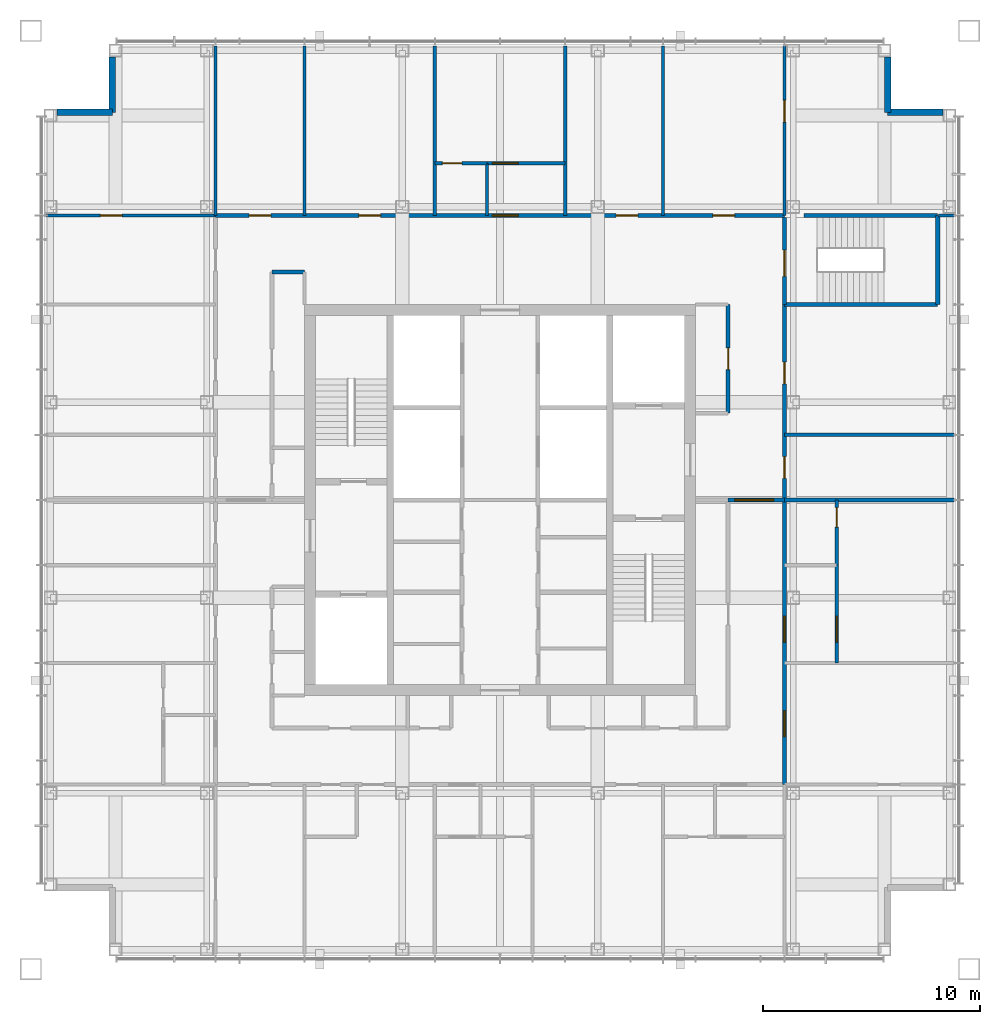
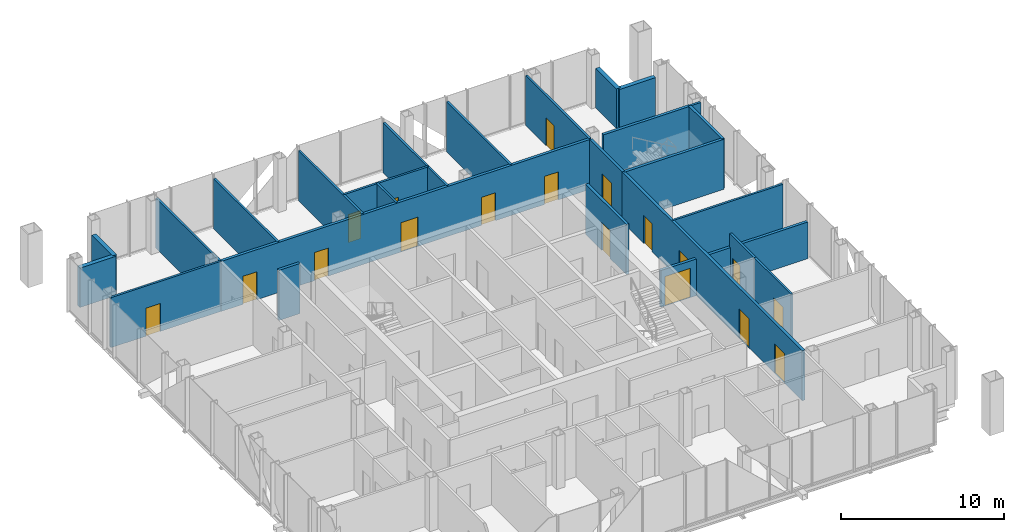
# One storey, part 10 of 12: 28 walls, 18 doors, 18 openings.
"""IFC4 building model written with IfcOpenShell, lengths in metres."""

import ifcopenshell
import ifcopenshell.guid

model = None  # the IFC model being written
_history = None  # IfcOwnerHistory: only IFC2X3 demands one
_inside = {}  # id of a spatial element -> (the spatial element, [elements in it])
_under = {}  # id of a project, library or spatial element -> (it, [spatial elements below it])
_declared = {}  # id of a project -> (the project, [libraries it declares])
_typed = {}  # id of a type object -> (the type object, [elements of that type])
_made_of = {}  # id of a material, layer set ... -> (it, [elements and type objects made of it])


def new_model(schema):
    """Start an empty IFC model of exactly this schema.

    Asked for "IFC4X3", IfcOpenShell would pick the latest addendum, in which some entities
    have other attributes; the version numbers below select the first issue.
    IFC2X3 requires an IfcOwnerHistory on every rooted entity: one is made here for all.
    """
    global model, _history
    if schema == "IFC4X3":
        model = ifcopenshell.file(schema_version=(4, 3, 0, 0))
    else:
        model = ifcopenshell.file(schema=schema)
    _inside.clear()
    _under.clear()
    _declared.clear()
    _typed.clear()
    _made_of.clear()
    _history = None
    if model.schema == "IFC2X3":
        org = make("IfcOrganization", Name="unknown")
        user = make(
            "IfcPersonAndOrganization",
            ThePerson=make("IfcPerson", FamilyName="unknown"),
            TheOrganization=org,
        )
        app = make(
            "IfcApplication",
            ApplicationDeveloper=org,
            Version="unknown",
            ApplicationFullName="unknown",
            ApplicationIdentifier="unknown",
        )
        _history = make(
            "IfcOwnerHistory",
            OwningUser=user,
            OwningApplication=app,
            ChangeAction="ADDED",
            CreationDate=0,
        )
    return model


def make(cls, **values):
    """One entity of the class cls with the attributes given. An attribute that is None is left unset."""
    return model.create_entity(
        cls, **{name: value for name, value in values.items() if value is not None}
    )


def rooted(cls, **values):
    """An entity with a GlobalId (a new one), such as an element, a storey or a relation."""
    return make(cls, GlobalId=ifcopenshell.guid.new(), OwnerHistory=_history, **values)


def si_unit(unit_type, name, prefix=None):
    """IfcSIUnit, for example si_unit("LENGTHUNIT", "METRE", prefix="MILLI")."""
    return make("IfcSIUnit", UnitType=unit_type, Prefix=prefix, Name=name)


def assignment(units):
    """IfcUnitAssignment: the units of a project."""
    return None if units is None else make("IfcUnitAssignment", Units=units)


def point(xyz):
    """IfcCartesianPoint."""
    return None if xyz is None else make("IfcCartesianPoint", Coordinates=xyz)


def direction(xyz):
    """IfcDirection."""
    return None if xyz is None else make("IfcDirection", DirectionRatios=xyz)


def frame(location, z_axis=None, x_axis=None):
    """IfcAxis2Placement3D, a coordinate frame: its origin and axes. An axis left out is left unset."""
    return make(
        "IfcAxis2Placement3D",
        Location=point(location),
        Axis=direction(z_axis),
        RefDirection=direction(x_axis),
    )


def frame_2d(location, x_axis=None):
    """IfcAxis2Placement2D, a coordinate frame in the plane: its origin and x axis."""
    return make(
        "IfcAxis2Placement2D", Location=point(location), RefDirection=direction(x_axis)
    )


def origin():
    """The frame at (0, 0, 0) with its axes left unset."""
    return frame((0.0, 0.0, 0.0))


def place(relative_to, where):
    """IfcLocalPlacement: puts the frame where relative to a parent placement (None: the world)."""
    return make(
        "IfcLocalPlacement", PlacementRelTo=relative_to, RelativePlacement=where
    )


def context(
    kind, dimensions, precision=None, world=None, true_north=None, identifier=None
):
    """IfcGeometricRepresentationContext, for example the 3D "Model" context."""
    return make(
        "IfcGeometricRepresentationContext",
        ContextIdentifier=identifier,
        ContextType=kind,
        CoordinateSpaceDimension=dimensions,
        Precision=precision,
        WorldCoordinateSystem=world,
        TrueNorth=true_north,
    )


def subcontext(parent, identifier, kind, view, scale=None):
    """IfcGeometricRepresentationSubContext, for example "Body" below "Model"."""
    return make(
        "IfcGeometricRepresentationSubContext",
        ContextIdentifier=identifier,
        ContextType=kind,
        ParentContext=parent,
        TargetScale=scale,
        TargetView=view,
    )


def project(units=None, contexts=None):
    """IfcProject with its units and contexts."""
    return rooted(
        "IfcProject",
        Name="project",
        RepresentationContexts=contexts,
        UnitsInContext=assignment(units),
    )


def spatial(cls, under=None, at=None, **own):
    """A site, building, storey or space (cls), placed at a placement, below another one or the project."""
    s = rooted(cls, ObjectPlacement=at, **own)
    if under is not None:
        _under.setdefault(under.id(), (under, []))[1].append(s)
    return s


def profile(cls, at=None, kind="AREA", **sizes):
    """A parametric profile (cls). Its sizes go by their IFC names, for example OverallWidth=200.0."""
    return make(cls, ProfileType=kind, Position=at, **sizes)


def rectangle(**sizes):
    """IfcRectangleProfileDef."""
    return profile("IfcRectangleProfileDef", **sizes)


def extrude(swept, where, along, depth):
    """IfcExtrudedAreaSolid: the profile swept, set in the frame where, extruded along a direction by depth."""
    return make(
        "IfcExtrudedAreaSolid",
        SweptArea=swept,
        Position=where,
        ExtrudedDirection=direction(along),
        Depth=depth,
    )


def shape(context_of_items, identifier, shape_type, items):
    """IfcShapeRepresentation: the items that make up one representation, for example the "Body"."""
    return make(
        "IfcShapeRepresentation",
        ContextOfItems=context_of_items,
        RepresentationIdentifier=identifier,
        RepresentationType=shape_type,
        Items=items,
    )


def material(Name=None, Category=None):
    """IfcMaterial."""
    return make("IfcMaterial", Name=Name, Category=Category)


def layer(
    of_material, thickness, ventilated=None, Name=None, Category=None, Priority=None
):
    """IfcMaterialLayer: one layer of a wall or slab, of a material (None: an air gap)."""
    return make(
        "IfcMaterialLayer",
        Material=of_material,
        LayerThickness=thickness,
        IsVentilated=ventilated,
        Name=Name,
        Category=Category,
        Priority=Priority,
    )


def layer_set(layers, Name=None):
    """IfcMaterialLayerSet."""
    return make("IfcMaterialLayerSet", MaterialLayers=layers, LayerSetName=Name)


def made_of(thing, what):
    """Note that an element or type object is made of a material, layer set ...; save() writes the relation."""
    if what is not None:
        _made_of.setdefault(what.id(), (what, []))[1].append(thing)
    return thing


def type_object(cls, material=None, **own):
    """A type object (cls), such as IfcWallType, which elements share."""
    return made_of(rooted(cls, **own), material)


def element(
    cls,
    number,
    at=None,
    inside=None,
    cuts=None,
    type_object=None,
    material=None,
    context=None,
    identifier="Body",
    shape_type=None,
    held_by="IfcProductDefinitionShape",
    body=None,
    shapes=None,
    **own,
):
    """One element of the class cls, such as IfcWall. Its Tag is "e" and its number.

    at: its placement. inside: the storey or other place that contains it. cuts: it is an
    opening in that element (IfcRelVoidsElement). A single representation is given by context,
    identifier, shape_type and body (its items); several are given by shapes. held_by: the class
    of the entity that holds the representations. save() writes the other relations.
    """
    e = rooted(cls, Tag="e%d" % number, ObjectPlacement=at, **own)
    if body is not None:
        shapes = [shape(context, identifier, shape_type, body)]
    if shapes is not None:
        e.Representation = make(held_by, Representations=shapes)
    if inside is not None:
        _inside.setdefault(inside.id(), (inside, []))[1].append(e)
    if cuts is not None:
        rooted(
            "IfcRelVoidsElement", RelatingBuildingElement=cuts, RelatedOpeningElement=e
        )
    if type_object is not None:
        _typed.setdefault(type_object.id(), (type_object, []))[1].append(e)
    return made_of(e, material)


def fill(opening, filler):
    """IfcRelFillsElement: the door or window that sits in an opening."""
    return rooted(
        "IfcRelFillsElement",
        RelatingOpeningElement=opening,
        RelatedBuildingElement=filler,
    )


def aggregate(whole, parts):
    """IfcRelAggregates: a whole, such as a stair, and the parts it consists of."""
    return rooted("IfcRelAggregates", RelatingObject=whole, RelatedObjects=parts)


def save(model, path):
    """Write the relations noted so far, then the file.

    IfcRelAggregates (storeys below a building ...), IfcRelContainedInSpatialStructure (elements
    in a storey), IfcRelDefinesByType, IfcRelAssociatesMaterial and IfcRelDeclares: one each for
    every whole, place, type object, material and project.
    """
    for whole, parts in _under.values():
        aggregate(whole, parts)
    for where, things in _inside.values():
        rooted(
            "IfcRelContainedInSpatialStructure",
            RelatedElements=things,
            RelatingStructure=where,
        )
    for kind, things in _typed.values():
        rooted("IfcRelDefinesByType", RelatedObjects=things, RelatingType=kind)
    for what, things in _made_of.values():
        rooted("IfcRelAssociatesMaterial", RelatedObjects=things, RelatingMaterial=what)
    for by, libraries in _declared.values():
        rooted("IfcRelDeclares", RelatingContext=by, RelatedDefinitions=libraries)
    model.write(path)


model = new_model("IFC4")

# Units and contexts
model_context = context("Model", 3, precision=1e-05, world=origin(), true_north=direction((0.0, 1.0)))
body_context = subcontext(model_context, "Body", "Model", "MODEL_VIEW")
ifc_project = project(units=[si_unit("LENGTHUNIT", "METRE"), si_unit("AREAUNIT", "SQUARE_METRE"), si_unit("VOLUMEUNIT", "CUBIC_METRE"), si_unit("PLANEANGLEUNIT", "RADIAN"), si_unit("MASSUNIT", "GRAM", prefix="KILO")], contexts=[model_context])

# Site, building, storey
site_placement = place(None, origin())
site = spatial("IfcSite", under=ifc_project, at=site_placement, CompositionType="ELEMENT")
building_placement = place(site_placement, origin())
building = spatial("IfcBuilding", under=site, at=building_placement, Name="Malebo Sky Hospital", CompositionType="ELEMENT")
storey_placement = place(building_placement, frame((0.0, 0.0, 262.0)))
storey = spatial("IfcBuildingStorey", under=building, at=storey_placement, Name="L63", CompositionType="ELEMENT", Elevation=262.0)

# Wall, openings, doors
ifc_material_1 = material(Name="Gypsum board on steel studs", Category="steel")
ifc_layer_1 = layer(ifc_material_1, 0.199951171875)
ifc_layer_set_1 = layer_set([ifc_layer_1], Name="CORRIDOR WALL 200")
wall_type_1 = type_object("IfcWallType", Name="CORRIDOR WALL 200", PredefinedType="PARTITIONING", material=ifc_layer_set_1)
wall_1_placement = place(storey_placement, frame((46.89990234375, 75.10009765625, 0.0), z_axis=(0.0, 0.0, 1.0), x_axis=(1.0, 0.0, 0.0)))
wall_1 = element("IfcWall", 1, at=wall_1_placement, inside=storey, type_object=wall_type_1, Name="Corridor Wall 200 NCO", PredefinedType="PARTITIONING", context=body_context, shape_type="SweptSolid", body=[
    extrude(rectangle(XDim=26.2001953125, YDim=0.199951171875, at=frame_2d((13.10009765625, 0.0))), origin(), (0.0, 0.0, 1.0), 3.75),
])
opening_1_placement = place(wall_1_placement, frame((1.550048828125, 0.0, 0.0)))
opening_1 = element("IfcOpeningElement", 2, at=opening_1_placement, cuts=wall_1, Name="Opening D03", PredefinedType="OPENING", context=body_context, shape_type="SweptSolid", body=[
    extrude(rectangle(XDim=1.0, YDim=2.10009765625, at=frame_2d((0.5, 1.050048828125))), frame((0.0, 0.10986328125, 0.0), z_axis=(0.0, -1.0, 0.0), x_axis=(1.0, 0.0, 0.0)), (0.0, 0.0, 1.0), 0.219970703125),
])
opening_2_placement = place(wall_1_placement, frame((6.60009765625, 0.0, 0.0)))
opening_2 = element("IfcOpeningElement", 3, at=opening_2_placement, cuts=wall_1, Name="Opening D03", PredefinedType="OPENING", context=body_context, shape_type="SweptSolid", body=[
    extrude(rectangle(XDim=1.0, YDim=2.10009765625, at=frame_2d((0.5, 1.050048828125))), frame((0.0, 0.10986328125, 0.0), z_axis=(0.0, -1.0, 0.0), x_axis=(1.0, 0.0, 0.0)), (0.0, 0.0, 1.0), 0.219970703125),
])
opening_3_placement = place(wall_1_placement, frame((12.75, 0.0, 0.0)))
opening_3 = element("IfcOpeningElement", 4, at=opening_3_placement, cuts=wall_1, Name="Opening D18", PredefinedType="OPENING", context=body_context, shape_type="SweptSolid", body=[
    extrude(rectangle(XDim=1.199951171875, YDim=2.199951171875, at=frame_2d((0.60009765625, 1.10009765625))), frame((0.0, 0.10986328125, 0.0), z_axis=(0.0, -1.0, 0.0), x_axis=(1.0, 0.0, 0.0)), (0.0, 0.0, 1.0), 0.219970703125),
])
opening_4_placement = place(wall_1_placement, frame((18.449951171875, 0.0, 0.0)))
opening_4 = element("IfcOpeningElement", 5, at=opening_4_placement, cuts=wall_1, Name="Opening D03", PredefinedType="OPENING", context=body_context, shape_type="SweptSolid", body=[
    extrude(rectangle(XDim=1.0, YDim=2.10009765625, at=frame_2d((0.5, 1.050048828125))), frame((0.0, 0.10986328125, 0.0), z_axis=(0.0, -1.0, 0.0), x_axis=(1.0, 0.0, 0.0)), (0.0, 0.0, 1.0), 0.219970703125),
])
opening_5_placement = place(wall_1_placement, frame((22.89990234375, 0.0, 0.0)))
opening_5 = element("IfcOpeningElement", 6, at=opening_5_placement, cuts=wall_1, Name="Opening D03", PredefinedType="OPENING", context=body_context, shape_type="SweptSolid", body=[
    extrude(rectangle(XDim=1.0, YDim=2.10009765625, at=frame_2d((0.5, 1.050048828125))), frame((0.0, 0.10986328125, 0.0), z_axis=(0.0, -1.0, 0.0), x_axis=(1.0, 0.0, 0.0)), (0.0, 0.0, 1.0), 0.219970703125),
])
ifc_material_2 = material(Name="Hardwood-faced door leaf in steel frame", Category="steel")
door_type_1 = type_object("IfcDoorType", Name="ANTEROOM DOOR 1200", OperationType="SINGLE_SWING_LEFT", PredefinedType="DOOR", material=ifc_material_2)
door_1_placement = place(opening_3_placement, origin())
door_1 = element("IfcDoor", 7, at=door_1_placement, inside=storey, type_object=door_type_1, Name="Anteroom door", OperationType="SINGLE_SWING_LEFT", OverallHeight=2.199951171875, OverallWidth=1.199951171875, PredefinedType="DOOR", context=body_context, shape_type="SweptSolid", body=[
    extrude(rectangle(XDim=1.199951171875, YDim=2.199951171875, at=frame_2d((0.60009765625, 1.10009765625))), frame((0.0, 0.02490234375, 0.0), z_axis=(0.0, -1.0, 0.0), x_axis=(1.0, 0.0, 0.0)), (0.0, 0.0, 1.0), 0.050048828125),
])
fill(opening_3, door_1)
door_type_2 = type_object("IfcDoorType", Name="ROOM DOOR 1000", OperationType="SINGLE_SWING_LEFT", PredefinedType="DOOR", material=ifc_material_2)
door_2_placement = place(opening_1_placement, origin())
door_2 = element("IfcDoor", 8, at=door_2_placement, inside=storey, type_object=door_type_2, Name="Nurse station door", OperationType="SINGLE_SWING_LEFT", OverallHeight=2.10009765625, OverallWidth=1.0, PredefinedType="DOOR", context=body_context, shape_type="SweptSolid", body=[
    extrude(rectangle(XDim=1.0, YDim=2.10009765625, at=frame_2d((0.5, 1.050048828125))), frame((0.0, 0.02490234375, 0.0), z_axis=(0.0, -1.0, 0.0), x_axis=(1.0, 0.0, 0.0)), (0.0, 0.0, 1.0), 0.050048828125),
])
fill(opening_1, door_2)
door_3_placement = place(opening_2_placement, origin())
door_3 = element("IfcDoor", 9, at=door_3_placement, inside=storey, type_object=door_type_2, Name="Clean utility room door", OperationType="SINGLE_SWING_LEFT", OverallHeight=2.10009765625, OverallWidth=1.0, PredefinedType="DOOR", context=body_context, shape_type="SweptSolid", body=[
    extrude(rectangle(XDim=1.0, YDim=2.10009765625, at=frame_2d((0.5, 1.050048828125))), frame((0.0, 0.02490234375, 0.0), z_axis=(0.0, -1.0, 0.0), x_axis=(1.0, 0.0, 0.0)), (0.0, 0.0, 1.0), 0.050048828125),
])
fill(opening_2, door_3)
door_4_placement = place(opening_4_placement, origin())
door_4 = element("IfcDoor", 10, at=door_4_placement, inside=storey, type_object=door_type_2, Name="Dirty utility room door", OperationType="SINGLE_SWING_RIGHT", OverallHeight=2.10009765625, OverallWidth=1.0, PredefinedType="DOOR", context=body_context, shape_type="SweptSolid", body=[
    extrude(rectangle(XDim=1.0, YDim=2.10009765625, at=frame_2d((0.5, 1.050048828125))), frame((0.0, 0.02490234375, 0.0), z_axis=(0.0, -1.0, 0.0), x_axis=(1.0, 0.0, 0.0)), (0.0, 0.0, 1.0), 0.050048828125),
])
fill(opening_4, door_4)
door_5_placement = place(opening_5_placement, origin())
door_5 = element("IfcDoor", 11, at=door_5_placement, inside=storey, type_object=door_type_2, Name="Patient day room door", OperationType="SINGLE_SWING_RIGHT", OverallHeight=2.10009765625, OverallWidth=1.0, PredefinedType="DOOR", context=body_context, shape_type="SweptSolid", body=[
    extrude(rectangle(XDim=1.0, YDim=2.10009765625, at=frame_2d((0.5, 1.050048828125))), frame((0.0, 0.02490234375, 0.0), z_axis=(0.0, -1.0, 0.0), x_axis=(1.0, 0.0, 0.0)), (0.0, 0.0, 1.0), 0.050048828125),
])
fill(opening_5, door_5)

# Wall
wall_2_placement = place(storey_placement, frame((49.5, 72.5, 0.0), z_axis=(0.0, 0.0, 1.0), x_axis=(1.0, 0.0, 0.0)))
element("IfcWall", 12, at=wall_2_placement, inside=storey, type_object=wall_type_1, Name="Corridor Wall 200 NCIK", PredefinedType="PARTITIONING", context=body_context, shape_type="SweptSolid", body=[
    extrude(rectangle(XDim=1.5, YDim=0.199951171875, at=frame_2d((0.75, 0.0))), origin(), (0.0, 0.0, 1.0), 3.75),
])

# Wall, openings, doors
wall_3_placement = place(storey_placement, frame((73.10009765625, 71.0, 0.0), z_axis=(0.0, 0.0, 1.0), x_axis=(0.0, -1.0, 0.0)))
wall_3 = element("IfcWall", 13, at=wall_3_placement, inside=storey, type_object=wall_type_1, Name="Corridor Wall 200 ECO", PredefinedType="PARTITIONING", context=body_context, shape_type="SweptSolid", body=[
    extrude(rectangle(XDim=22.10009765625, YDim=0.199951171875, at=frame_2d((11.050048828125, 0.0))), origin(), (0.0, 0.0, 1.0), 3.75),
])
opening_6_placement = place(wall_3_placement, frame((2.64990234375, 0.0, 0.0)))
opening_6 = element("IfcOpeningElement", 14, at=opening_6_placement, cuts=wall_3, Name="Opening D03", PredefinedType="OPENING", context=body_context, shape_type="SweptSolid", body=[
    extrude(rectangle(XDim=1.0, YDim=2.10009765625, at=frame_2d((0.5, 1.050048828125))), frame((0.0, 0.10986328125, 0.0), z_axis=(0.0, -1.0, 0.0), x_axis=(1.0, 0.0, 0.0)), (0.0, 0.0, 1.0), 0.219970703125),
])
opening_7_placement = place(wall_3_placement, frame((7.0, 0.0, 0.0)))
opening_7 = element("IfcOpeningElement", 15, at=opening_7_placement, cuts=wall_3, Name="Opening D03", PredefinedType="OPENING", context=body_context, shape_type="SweptSolid", body=[
    extrude(rectangle(XDim=1.0, YDim=2.10009765625, at=frame_2d((0.5, 1.050048828125))), frame((0.0, 0.10986328125, 0.0), z_axis=(0.0, -1.0, 0.0), x_axis=(1.0, 0.0, 0.0)), (0.0, 0.0, 1.0), 0.219970703125),
])
opening_8_placement = place(wall_3_placement, frame((14.35009765625, 0.0, 0.0)))
opening_8 = element("IfcOpeningElement", 16, at=opening_8_placement, cuts=wall_3, Name="Opening D18", PredefinedType="OPENING", context=body_context, shape_type="SweptSolid", body=[
    extrude(rectangle(XDim=1.199951171875, YDim=2.199951171875, at=frame_2d((0.60009765625, 1.10009765625))), frame((0.0, 0.10986328125, 0.0), z_axis=(0.0, -1.0, 0.0), x_axis=(1.0, 0.0, 0.0)), (0.0, 0.0, 1.0), 0.219970703125),
])
opening_9_placement = place(wall_3_placement, frame((18.699951171875, 0.0, 0.0)))
opening_9 = element("IfcOpeningElement", 17, at=opening_9_placement, cuts=wall_3, Name="Opening D01", PredefinedType="OPENING", context=body_context, shape_type="SweptSolid", body=[
    extrude(rectangle(XDim=1.199951171875, YDim=2.199951171875, at=frame_2d((0.60009765625, 1.10009765625))), frame((0.0, 0.10986328125, 0.0), z_axis=(0.0, -1.0, 0.0), x_axis=(1.0, 0.0, 0.0)), (0.0, 0.0, 1.0), 0.219970703125),
])
door_6_placement = place(opening_8_placement, origin())
door_6 = element("IfcDoor", 18, at=door_6_placement, inside=storey, type_object=door_type_1, Name="Anteroom door", OperationType="SINGLE_SWING_RIGHT", OverallHeight=2.199951171875, OverallWidth=1.199951171875, PredefinedType="DOOR", context=body_context, shape_type="SweptSolid", body=[
    extrude(rectangle(XDim=1.199951171875, YDim=2.199951171875, at=frame_2d((0.60009765625, 1.10009765625))), frame((0.0, 0.02490234375, 0.0), z_axis=(0.0, -1.0, 0.0), x_axis=(1.0, 0.0, 0.0)), (0.0, 0.0, 1.0), 0.050048828125),
])
fill(opening_8, door_6)
door_type_3 = type_object("IfcDoorType", Name="BED DOOR 1200", OperationType="SINGLE_SWING_LEFT", PredefinedType="DOOR", material=ifc_material_2)
door_7_placement = place(opening_9_placement, origin())
door_7 = element("IfcDoor", 19, at=door_7_placement, inside=storey, type_object=door_type_3, Name="Dining room door", OperationType="SINGLE_SWING_RIGHT", OverallHeight=2.199951171875, OverallWidth=1.199951171875, PredefinedType="DOOR", context=body_context, shape_type="SweptSolid", body=[
    extrude(rectangle(XDim=1.199951171875, YDim=2.199951171875, at=frame_2d((0.60009765625, 1.10009765625))), frame((0.0, 0.02490234375, 0.0), z_axis=(0.0, -1.0, 0.0), x_axis=(1.0, 0.0, 0.0)), (0.0, 0.0, 1.0), 0.050048828125),
])
fill(opening_9, door_7)
door_8_placement = place(opening_6_placement, origin())
door_8 = element("IfcDoor", 20, at=door_8_placement, inside=storey, type_object=door_type_2, Name="Relatives' room door", OperationType="SINGLE_SWING_RIGHT", OverallHeight=2.10009765625, OverallWidth=1.0, PredefinedType="DOOR", context=body_context, shape_type="SweptSolid", body=[
    extrude(rectangle(XDim=1.0, YDim=2.10009765625, at=frame_2d((0.5, 1.050048828125))), frame((0.0, 0.02490234375, 0.0), z_axis=(0.0, -1.0, 0.0), x_axis=(1.0, 0.0, 0.0)), (0.0, 0.0, 1.0), 0.050048828125),
])
fill(opening_6, door_8)
door_9_placement = place(opening_7_placement, origin())
door_9 = element("IfcDoor", 21, at=door_9_placement, inside=storey, type_object=door_type_2, Name="Ward pantry door", OperationType="SINGLE_SWING_RIGHT", OverallHeight=2.10009765625, OverallWidth=1.0, PredefinedType="DOOR", context=body_context, shape_type="SweptSolid", body=[
    extrude(rectangle(XDim=1.0, YDim=2.10009765625, at=frame_2d((0.5, 1.050048828125))), frame((0.0, 0.02490234375, 0.0), z_axis=(0.0, -1.0, 0.0), x_axis=(1.0, 0.0, 0.0)), (0.0, 0.0, 1.0), 0.050048828125),
])
fill(opening_7, door_9)

# Wall, opening, door
wall_4_placement = place(storey_placement, frame((70.5, 71.0, 0.0), z_axis=(0.0, 0.0, 1.0), x_axis=(0.0, -1.0, 0.0)))
wall_4 = element("IfcWall", 22, at=wall_4_placement, inside=storey, type_object=wall_type_1, Name="Corridor Wall 200 ECI1", PredefinedType="PARTITIONING", context=body_context, shape_type="SweptSolid", body=[
    extrude(rectangle(XDim=5.0, YDim=0.199951171875, at=frame_2d((2.5, 0.0))), origin(), (0.0, 0.0, 1.0), 3.75),
])
opening_10_placement = place(wall_4_placement, frame((2.0, 0.0, 0.0)))
opening_10 = element("IfcOpeningElement", 23, at=opening_10_placement, cuts=wall_4, Name="Opening D03", PredefinedType="OPENING", context=body_context, shape_type="SweptSolid", body=[
    extrude(rectangle(XDim=1.0, YDim=2.10009765625, at=frame_2d((0.5, 1.050048828125))), frame((0.0, 0.10986328125, 0.0), z_axis=(0.0, -1.0, 0.0), x_axis=(1.0, 0.0, 0.0)), (0.0, 0.0, 1.0), 0.219970703125),
])
door_10_placement = place(opening_10_placement, origin())
door_10 = element("IfcDoor", 24, at=door_10_placement, inside=storey, type_object=door_type_2, Name="Hoist store door", OperationType="SINGLE_SWING_LEFT", OverallHeight=2.10009765625, OverallWidth=1.0, PredefinedType="DOOR", context=body_context, shape_type="SweptSolid", body=[
    extrude(rectangle(XDim=1.0, YDim=2.10009765625, at=frame_2d((0.5, 1.050048828125))), frame((0.0, 0.02490234375, 0.0), z_axis=(0.0, -1.0, 0.0), x_axis=(1.0, 0.0, 0.0)), (0.0, 0.0, 1.0), 0.050048828125),
])
fill(opening_10, door_10)

# Walls
ifc_material_3 = material(Name="Anodised aluminium rainscreen on steel framing", Category="steel")
ifc_layer_2 = layer(ifc_material_3, 0.300048828125)
ifc_layer_set_2 = layer_set([ifc_layer_2], Name="NOTCH RAINSCREEN WALL 300")
wall_type_2 = type_object("IfcWallType", Name="NOTCH RAINSCREEN WALL 300", PredefinedType="ELEMENTEDWALL", material=ifc_layer_set_2)
for number, where, z_axis, x_axis, name in (
    (25, (77.85009765625, 82.39990234375, 0.0), (0.0, 0.0, 1.0), (0.0, -1.0, 0.0), "Notch rainscreen wall N1 L63"),
    (26, (77.85009765625, 79.85009765625, 0.0), (0.0, 0.0, 1.0), (1.0, 0.0, 0.0), "Notch rainscreen wall N2 L63"),
    (27, (39.60009765625, 79.85009765625, 0.0), (0.0, 0.0, 1.0), (1.0, 0.0, 0.0), "Notch rainscreen wall W1 L63"),
    (28, (42.14990234375, 79.85009765625, 0.0), (0.0, 0.0, 1.0), (0.0, 1.0, 0.0), "Notch rainscreen wall W2 L63"),
):
    element("IfcWall", number, at=place(storey_placement, frame(where, z_axis=z_axis, x_axis=x_axis)), inside=storey, type_object=wall_type_2, Name=name, PredefinedType="ELEMENTEDWALL", context=body_context, shape_type="SweptSolid", body=[
        extrude(rectangle(XDim=2.5498046875, YDim=0.300048828125, at=frame_2d((1.27490234375, 0.0))), origin(), (0.0, 0.0, 1.0), 2.949951171875),
    ])
ifc_layer_3 = layer(ifc_material_1, 0.14990234375)
ifc_layer_set_3 = layer_set([ifc_layer_3], Name="PARTITION 150")
wall_type_3 = type_object("IfcWallType", Name="PARTITION 150", PredefinedType="PARTITIONING", material=ifc_layer_set_3)
for number, where, z_axis, x_axis, name in (
    (29, (51.0, 75.10009765625, 0.0), (0.0, 0.0, 1.0), (0.0, 1.0, 0.0), "Partition 150 NP-9.0"),
    (30, (57.0, 75.10009765625, 0.0), (0.0, 0.0, 1.0), (0.0, 1.0, 0.0), "Partition 150 NP-3.0"),
    (31, (63.0, 75.10009765625, 0.0), (0.0, 0.0, 1.0), (0.0, 1.0, 0.0), "Partition 150 NP+3.0"),
    (32, (67.5, 75.10009765625, 0.0), (0.0, 0.0, 1.0), (0.0, 1.0, 0.0), "Partition 150 NP+7.5"),
    (33, (46.89990234375, 75.10009765625, 0.0), (0.0, 0.0, 1.0), (0.0, 1.0, 0.0), "Partition 150 NP0"),
):
    element("IfcWall", number, at=place(storey_placement, frame(where, z_axis=z_axis, x_axis=x_axis)), inside=storey, type_object=wall_type_3, Name=name, PredefinedType="PARTITIONING", context=body_context, shape_type="SweptSolid", body=[
        extrude(rectangle(XDim=7.7998046875, YDim=0.14990234375, at=frame_2d((3.89990234375, 0.0))), origin(), (0.0, 0.0, 1.0), 3.75),
    ])

# Wall, opening, door
wall_5_placement = place(storey_placement, frame((57.0, 77.5, 0.0), z_axis=(0.0, 0.0, 1.0), x_axis=(1.0, 0.0, 0.0)))
wall_5 = element("IfcWall", 34, at=wall_5_placement, inside=storey, type_object=wall_type_3, Name="Partition 150 NE2F", PredefinedType="PARTITIONING", context=body_context, shape_type="SweptSolid", body=[
    extrude(rectangle(XDim=2.39990234375, YDim=0.14990234375, at=frame_2d((1.199951171875, 0.0))), origin(), (0.0, 0.0, 1.0), 3.75),
])
opening_11_placement = place(wall_5_placement, frame((0.35009765625, 0.0, 0.0)))
opening_11 = element("IfcOpeningElement", 35, at=opening_11_placement, cuts=wall_5, Name="Opening D02", PredefinedType="OPENING", context=body_context, shape_type="SweptSolid", body=[
    extrude(rectangle(XDim=0.89990234375, YDim=2.10009765625, at=frame_2d((0.449951171875, 1.050048828125))), frame((0.0, 0.0849609375, 0.0), z_axis=(0.0, -1.0, 0.0), x_axis=(1.0, 0.0, 0.0)), (0.0, 0.0, 1.0), 0.169921875),
])
door_type_4 = type_object("IfcDoorType", Name="EN-SUITE DOOR 900", OperationType="SINGLE_SWING_LEFT", PredefinedType="DOOR", material=ifc_material_2)
door_11_placement = place(opening_11_placement, origin())
door_11 = element("IfcDoor", 36, at=door_11_placement, inside=storey, type_object=door_type_4, Name="En-suite door", OperationType="SINGLE_SWING_LEFT", OverallHeight=2.10009765625, OverallWidth=0.89990234375, PredefinedType="DOOR", context=body_context, shape_type="SweptSolid", body=[
    extrude(rectangle(XDim=0.89990234375, YDim=2.10009765625, at=frame_2d((0.449951171875, 1.050048828125))), frame((0.0, 0.02490234375, 0.0), z_axis=(0.0, -1.0, 0.0), x_axis=(1.0, 0.0, 0.0)), (0.0, 0.0, 1.0), 0.050048828125),
])
fill(opening_11, door_11)

# Wall
wall_6_placement = place(storey_placement, frame((59.39990234375, 75.10009765625, 0.0), z_axis=(0.0, 0.0, 1.0), x_axis=(0.0, 1.0, 0.0)))
element("IfcWall", 37, at=wall_6_placement, inside=storey, type_object=wall_type_3, Name="Partition 150 NE2S", PredefinedType="PARTITIONING", context=body_context, shape_type="SweptSolid", body=[
    extrude(rectangle(XDim=2.39990234375, YDim=0.14990234375, at=frame_2d((1.199951171875, 0.0))), origin(), (0.0, 0.0, 1.0), 3.75),
])

# Wall, opening, door
wall_7_placement = place(storey_placement, frame((73.10009765625, 75.10009765625, 0.0), z_axis=(0.0, 0.0, 1.0), x_axis=(0.0, 1.0, 0.0)))
wall_7 = element("IfcWall", 38, at=wall_7_placement, inside=storey, type_object=wall_type_3, Name="Partition 150 NK", PredefinedType="PARTITIONING", context=body_context, shape_type="SweptSolid", body=[
    extrude(rectangle(XDim=7.7998046875, YDim=0.14990234375, at=frame_2d((3.89990234375, 0.0))), origin(), (0.0, 0.0, 1.0), 3.75),
])
opening_12_placement = place(wall_7_placement, frame((4.300048828125, 0.0, 0.0)))
opening_12 = element("IfcOpeningElement", 39, at=opening_12_placement, cuts=wall_7, Name="Opening D03", PredefinedType="OPENING", context=body_context, shape_type="SweptSolid", body=[
    extrude(rectangle(XDim=1.0, YDim=2.10009765625, at=frame_2d((0.5, 1.050048828125))), frame((0.0, 0.0849609375, 0.0), z_axis=(0.0, -1.0, 0.0), x_axis=(1.0, 0.0, 0.0)), (0.0, 0.0, 1.0), 0.169921875),
])
door_12_placement = place(opening_12_placement, origin())
door_12 = element("IfcDoor", 40, at=door_12_placement, inside=storey, type_object=door_type_2, Name="Quiet room door", OperationType="SINGLE_SWING_RIGHT", OverallHeight=2.10009765625, OverallWidth=1.0, PredefinedType="DOOR", context=body_context, shape_type="SweptSolid", body=[
    extrude(rectangle(XDim=1.0, YDim=2.10009765625, at=frame_2d((0.5, 1.050048828125))), frame((0.0, 0.02490234375, 0.0), z_axis=(0.0, -1.0, 0.0), x_axis=(1.0, 0.0, 0.0)), (0.0, 0.0, 1.0), 0.050048828125),
])
fill(opening_12, door_12)

wall_8_placement = place(storey_placement, frame((46.89990234375, 75.10009765625, 0.0), z_axis=(0.0, 0.0, 1.0), x_axis=(-1.0, 0.0, 0.0)))
wall_8 = element("IfcWall", 41, at=wall_8_placement, inside=storey, type_object=wall_type_3, Name="Partition 150 WK", PredefinedType="PARTITIONING", context=body_context, shape_type="SweptSolid", body=[
    extrude(rectangle(XDim=7.7998046875, YDim=0.14990234375, at=frame_2d((3.89990234375, 0.0))), origin(), (0.0, 0.0, 1.0), 3.75),
])
opening_13_placement = place(wall_8_placement, frame((4.300048828125, 0.0, 0.0)))
opening_13 = element("IfcOpeningElement", 42, at=opening_13_placement, cuts=wall_8, Name="Opening D03", PredefinedType="OPENING", context=body_context, shape_type="SweptSolid", body=[
    extrude(rectangle(XDim=1.0, YDim=2.10009765625, at=frame_2d((0.5, 1.050048828125))), frame((0.0, 0.0849609375, 0.0), z_axis=(0.0, -1.0, 0.0), x_axis=(1.0, 0.0, 0.0)), (0.0, 0.0, 1.0), 0.169921875),
])
door_13_placement = place(opening_13_placement, origin())
door_13 = element("IfcDoor", 43, at=door_13_placement, inside=storey, type_object=door_type_2, Name="Relaxation room door", OperationType="SINGLE_SWING_RIGHT", OverallHeight=2.10009765625, OverallWidth=1.0, PredefinedType="DOOR", context=body_context, shape_type="SweptSolid", body=[
    extrude(rectangle(XDim=1.0, YDim=2.10009765625, at=frame_2d((0.5, 1.050048828125))), frame((0.0, 0.02490234375, 0.0), z_axis=(0.0, -1.0, 0.0), x_axis=(1.0, 0.0, 0.0)), (0.0, 0.0, 1.0), 0.050048828125),
])
fill(opening_13, door_13)

# Walls
wall_9_placement = place(storey_placement, frame((73.10009765625, 65.0, 0.0), z_axis=(0.0, 0.0, 1.0), x_axis=(1.0, 0.0, 0.0)))
element("IfcWall", 44, at=wall_9_placement, inside=storey, type_object=wall_type_3, Name="Partition 150 EP-3.0", PredefinedType="PARTITIONING", context=body_context, shape_type="SweptSolid", body=[
    extrude(rectangle(XDim=7.7998046875, YDim=0.14990234375, at=frame_2d((3.89990234375, 0.0))), origin(), (0.0, 0.0, 1.0), 3.75),
])
wall_10_placement = place(storey_placement, frame((80.199951171875, 75.10009765625, 0.0), z_axis=(0.0, 0.0, 1.0), x_axis=(1.0, 0.0, 0.0)))
element("IfcWall", 45, at=wall_10_placement, inside=storey, type_object=wall_type_3, Name="Partition 150 EP0", PredefinedType="PARTITIONING", context=body_context, shape_type="SweptSolid", body=[
    extrude(rectangle(XDim=0.699951171875, YDim=0.14990234375, at=frame_2d((0.35009765625, 0.0))), origin(), (0.0, 0.0, 1.0), 3.75),
])

# Wall, opening, door
wall_11_placement = place(storey_placement, frame((75.5, 62.0, 0.0), z_axis=(0.0, 0.0, 1.0), x_axis=(0.0, -1.0, 0.0)))
wall_11 = element("IfcWall", 46, at=wall_11_placement, inside=storey, type_object=wall_type_3, Name="Partition 150 EE3F", PredefinedType="PARTITIONING", context=body_context, shape_type="SweptSolid", body=[
    extrude(rectangle(XDim=3.0, YDim=0.14990234375, at=frame_2d((1.5, 0.0))), origin(), (0.0, 0.0, 1.0), 3.75),
])
opening_14_placement = place(wall_11_placement, frame((0.35009765625, 0.0, 0.0)))
opening_14 = element("IfcOpeningElement", 47, at=opening_14_placement, cuts=wall_11, Name="Opening D02", PredefinedType="OPENING", context=body_context, shape_type="SweptSolid", body=[
    extrude(rectangle(XDim=0.89990234375, YDim=2.10009765625, at=frame_2d((0.449951171875, 1.050048828125))), frame((0.0, 0.0849609375, 0.0), z_axis=(0.0, -1.0, 0.0), x_axis=(1.0, 0.0, 0.0)), (0.0, 0.0, 1.0), 0.169921875),
])
door_14_placement = place(opening_14_placement, origin())
door_14 = element("IfcDoor", 48, at=door_14_placement, inside=storey, type_object=door_type_4, Name="En-suite door", OperationType="SINGLE_SWING_LEFT", OverallHeight=2.10009765625, OverallWidth=0.89990234375, PredefinedType="DOOR", context=body_context, shape_type="SweptSolid", body=[
    extrude(rectangle(XDim=0.89990234375, YDim=2.10009765625, at=frame_2d((0.449951171875, 1.050048828125))), frame((0.0, 0.02490234375, 0.0), z_axis=(0.0, -1.0, 0.0), x_axis=(1.0, 0.0, 0.0)), (0.0, 0.0, 1.0), 0.050048828125),
])
fill(opening_14, door_14)

ifc_material_4 = material(Name="Sealed gypsum board on steel studs, taped to the slab", Category="steel")
ifc_layer_4 = layer(ifc_material_4, 0.14990234375)
ifc_layer_set_4 = layer_set([ifc_layer_4], Name="SEALED ISOLATION PARTITION 150")
wall_type_4 = type_object("IfcWallType", Name="SEALED ISOLATION PARTITION 150", PredefinedType="PARTITIONING", material=ifc_layer_set_4)
wall_12_placement = place(storey_placement, frame((59.39990234375, 77.5, 0.0), z_axis=(0.0, 0.0, 1.0), x_axis=(1.0, 0.0, 0.0)))
wall_12 = element("IfcWall", 49, at=wall_12_placement, inside=storey, type_object=wall_type_4, Name="Sealed Isolation Partition 150 NA2F", PredefinedType="PARTITIONING", context=body_context, shape_type="SweptSolid", body=[
    extrude(rectangle(XDim=3.60009765625, YDim=0.14990234375, at=frame_2d((1.800048828125, 0.0))), origin(), (0.0, 0.0, 1.0), 3.75),
])
opening_15_placement = place(wall_12_placement, frame((0.25, 0.0, 0.0)))
opening_15 = element("IfcOpeningElement", 50, at=opening_15_placement, cuts=wall_12, Name="Opening D19", PredefinedType="OPENING", context=body_context, shape_type="SweptSolid", body=[
    extrude(rectangle(XDim=1.199951171875, YDim=2.199951171875, at=frame_2d((0.60009765625, 1.10009765625))), frame((0.0, 0.0849609375, 0.0), z_axis=(0.0, -1.0, 0.0), x_axis=(1.0, 0.0, 0.0)), (0.0, 0.0, 1.0), 0.169921875),
])
ifc_material_5 = material(Name="Hardwood-faced door leaf with perimeter seals in steel frame", Category="steel")
door_type_5 = type_object("IfcDoorType", Name="SEALED ISOLATION ROOM DOOR 1200", OperationType="SINGLE_SWING_LEFT", PredefinedType="DOOR", material=ifc_material_5)
door_15_placement = place(opening_15_placement, origin())
door_15 = element("IfcDoor", 51, at=door_15_placement, inside=storey, type_object=door_type_5, Name="Isolation room door", OperationType="SINGLE_SWING_LEFT", OverallHeight=2.199951171875, OverallWidth=1.199951171875, PredefinedType="DOOR", context=body_context, shape_type="SweptSolid", body=[
    extrude(rectangle(XDim=1.199951171875, YDim=2.199951171875, at=frame_2d((0.60009765625, 1.10009765625))), frame((0.0, 0.02490234375, 0.0), z_axis=(0.0, -1.0, 0.0), x_axis=(1.0, 0.0, 0.0)), (0.0, 0.0, 1.0), 0.050048828125),
])
fill(opening_15, door_15)

wall_13_placement = place(storey_placement, frame((75.5, 59.0, 0.0), z_axis=(0.0, 0.0, 1.0), x_axis=(0.0, -1.0, 0.0)))
wall_13 = element("IfcWall", 52, at=wall_13_placement, inside=storey, type_object=wall_type_4, Name="Sealed Isolation Partition 150 EA3F", PredefinedType="PARTITIONING", context=body_context, shape_type="SweptSolid", body=[
    extrude(rectangle(XDim=4.5, YDim=0.14990234375, at=frame_2d((2.25, 0.0))), origin(), (0.0, 0.0, 1.0), 3.75),
])
opening_16_placement = place(wall_13_placement, frame((2.35009765625, 0.0, 0.0)))
opening_16 = element("IfcOpeningElement", 53, at=opening_16_placement, cuts=wall_13, Name="Opening D19", PredefinedType="OPENING", context=body_context, shape_type="SweptSolid", body=[
    extrude(rectangle(XDim=1.199951171875, YDim=2.199951171875, at=frame_2d((0.60009765625, 1.10009765625))), frame((0.0, 0.0849609375, 0.0), z_axis=(0.0, -1.0, 0.0), x_axis=(1.0, 0.0, 0.0)), (0.0, 0.0, 1.0), 0.169921875),
])
door_16_placement = place(opening_16_placement, origin())
door_16 = element("IfcDoor", 54, at=door_16_placement, inside=storey, type_object=door_type_5, Name="Isolation room door", OperationType="SINGLE_SWING_RIGHT", OverallHeight=2.199951171875, OverallWidth=1.199951171875, PredefinedType="DOOR", context=body_context, shape_type="SweptSolid", body=[
    extrude(rectangle(XDim=1.199951171875, YDim=2.199951171875, at=frame_2d((0.60009765625, 1.10009765625))), frame((0.0, 0.02490234375, 0.0), z_axis=(0.0, -1.0, 0.0), x_axis=(1.0, 0.0, 0.0)), (0.0, 0.0, 1.0), 0.050048828125),
])
fill(opening_16, door_16)

# Wall
ifc_material_6 = material(Name="Concrete blockwork", Category="masonry")
ifc_layer_5 = layer(ifc_material_6, 0.199951171875)
ifc_layer_set_5 = layer_set([ifc_layer_5], Name="SMOKE BARRIER WALL 200")
wall_type_5 = type_object("IfcWallType", Name="SMOKE BARRIER WALL 200", PredefinedType="SOLIDWALL", material=ifc_layer_set_5)
wall_14_placement = place(storey_placement, frame((73.10009765625, 62.0, 0.0), z_axis=(0.0, 0.0, 1.0), x_axis=(1.0, 0.0, 0.0)))
element("IfcWall", 55, at=wall_14_placement, inside=storey, type_object=wall_type_5, Name="Smoke Barrier Wall 200 EP+0.0", PredefinedType="SOLIDWALL", context=body_context, shape_type="SweptSolid", body=[
    extrude(rectangle(XDim=7.7998046875, YDim=0.199951171875, at=frame_2d((3.89990234375, 0.0))), origin(), (0.0, 0.0, 1.0), 2.75),
])

# Wall, opening, door
wall_15_placement = place(storey_placement, frame((70.5, 62.0, 0.0), z_axis=(0.0, 0.0, 1.0), x_axis=(1.0, 0.0, 0.0)))
wall_15 = element("IfcWall", 56, at=wall_15_placement, inside=storey, type_object=wall_type_5, Name="Smoke Barrier Wall 200 ESB", PredefinedType="SOLIDWALL", context=body_context, shape_type="SweptSolid", body=[
    extrude(rectangle(XDim=2.60009765625, YDim=0.199951171875, at=frame_2d((1.300048828125, 0.0))), origin(), (0.0, 0.0, 1.0), 2.75),
])
opening_17_placement = place(wall_15_placement, frame((0.300048828125, 0.0, 0.0)))
opening_17 = element("IfcOpeningElement", 57, at=opening_17_placement, cuts=wall_15, Name="Opening D05", PredefinedType="OPENING", context=body_context, shape_type="SweptSolid", body=[
    extrude(rectangle(XDim=1.800048828125, YDim=2.199951171875, at=frame_2d((0.89990234375, 1.10009765625))), frame((0.0, 0.10986328125, 0.0), z_axis=(0.0, -1.0, 0.0), x_axis=(1.0, 0.0, 0.0)), (0.0, 0.0, 1.0), 0.219970703125),
])
door_type_6 = type_object("IfcDoorType", Name="SMOKE DOOR PAIR 1800", OperationType="DOUBLE_DOOR_DOUBLE_SWING", PredefinedType="DOOR", material=ifc_material_2)
door_17_placement = place(opening_17_placement, origin())
door_17 = element("IfcDoor", 58, at=door_17_placement, inside=storey, type_object=door_type_6, Name="Smoke compartment door pair", OperationType="DOUBLE_DOOR_DOUBLE_SWING", OverallHeight=2.199951171875, OverallWidth=1.800048828125, PredefinedType="DOOR", context=body_context, shape_type="SweptSolid", body=[
    extrude(rectangle(XDim=1.800048828125, YDim=2.199951171875, at=frame_2d((0.89990234375, 1.10009765625))), frame((0.0, 0.02490234375, 0.0), z_axis=(0.0, -1.0, 0.0), x_axis=(1.0, 0.0, 0.0)), (0.0, 0.0, 1.0), 0.050048828125),
])
fill(opening_17, door_17)

ifc_material_7 = material(Name="Concrete C40/50", Category="concrete")
ifc_layer_6 = layer(ifc_material_7, 0.199951171875)
ifc_layer_set_6 = layer_set([ifc_layer_6], Name="STAIR ENCLOSURE WALL 200")
wall_type_6 = type_object("IfcWallType", Name="STAIR ENCLOSURE WALL 200", PredefinedType="SOLIDWALL", material=ifc_layer_set_6)
wall_16_placement = place(storey_placement, frame((73.10009765625, 75.0, 0.0), z_axis=(0.0, 0.0, 1.0), x_axis=(0.0, -1.0, 0.0)))
wall_16 = element("IfcWall", 59, at=wall_16_placement, inside=storey, type_object=wall_type_6, Name="Stair Enclosure Wall 200 ST3W", PredefinedType="SOLIDWALL", context=body_context, shape_type="SweptSolid", body=[
    extrude(rectangle(XDim=4.0, YDim=0.199951171875, at=frame_2d((2.0, 0.0))), origin(), (0.0, 0.0, 1.0), 3.75),
])
opening_18_placement = place(wall_16_placement, frame((1.5, 0.0, 0.0)))
opening_18 = element("IfcOpeningElement", 60, at=opening_18_placement, cuts=wall_16, Name="Opening D08", PredefinedType="OPENING", context=body_context, shape_type="SweptSolid", body=[
    extrude(rectangle(XDim=1.199951171875, YDim=2.10009765625, at=frame_2d((0.60009765625, 1.050048828125))), frame((0.0, 0.10986328125, 0.0), z_axis=(0.0, -1.0, 0.0), x_axis=(1.0, 0.0, 0.0)), (0.0, 0.0, 1.0), 0.219970703125),
])
door_type_7 = type_object("IfcDoorType", Name="STAIR DOOR 1200", OperationType="SINGLE_SWING_LEFT", PredefinedType="DOOR", material=ifc_material_2)
door_18_placement = place(opening_18_placement, origin())
door_18 = element("IfcDoor", 61, at=door_18_placement, inside=storey, type_object=door_type_7, Name="Stair S3 door", OperationType="SINGLE_SWING_RIGHT", OverallHeight=2.10009765625, OverallWidth=1.199951171875, PredefinedType="DOOR", context=body_context, shape_type="SweptSolid", body=[
    extrude(rectangle(XDim=1.199951171875, YDim=2.10009765625, at=frame_2d((0.60009765625, 1.050048828125))), frame((0.0, 0.02490234375, 0.0), z_axis=(0.0, -1.0, 0.0), x_axis=(1.0, 0.0, 0.0)), (0.0, 0.0, 1.0), 0.050048828125),
])
fill(opening_18, door_18)

# Walls
wall_17_placement = place(storey_placement, frame((73.10009765625, 71.0, 0.0), z_axis=(0.0, 0.0, 1.0), x_axis=(1.0, 0.0, 0.0)))
element("IfcWall", 62, at=wall_17_placement, inside=storey, type_object=wall_type_6, Name="Stair Enclosure Wall 200 ST3S", PredefinedType="SOLIDWALL", context=body_context, shape_type="SweptSolid", body=[
    extrude(rectangle(XDim=7.0498046875, YDim=0.199951171875, at=frame_2d((3.52490234375, 0.0))), origin(), (0.0, 0.0, 1.0), 3.75),
])
wall_18_placement = place(storey_placement, frame((80.14990234375, 71.0, 0.0), z_axis=(0.0, 0.0, 1.0), x_axis=(0.0, 1.0, 0.0)))
element("IfcWall", 63, at=wall_18_placement, inside=storey, type_object=wall_type_6, Name="Stair Enclosure Wall 200 ST3EE", PredefinedType="SOLIDWALL", context=body_context, shape_type="SweptSolid", body=[
    extrude(rectangle(XDim=4.10009765625, YDim=0.199951171875, at=frame_2d((2.050048828125, 0.0))), origin(), (0.0, 0.0, 1.0), 3.75),
])
wall_19_placement = place(storey_placement, frame((74.0, 75.10009765625, 0.0), z_axis=(0.0, 0.0, 1.0), x_axis=(1.0, 0.0, 0.0)))
element("IfcWall", 64, at=wall_19_placement, inside=storey, type_object=wall_type_6, Name="Stair Enclosure Wall 200 ST3N", PredefinedType="SOLIDWALL", context=body_context, shape_type="SweptSolid", body=[
    extrude(rectangle(XDim=6.14990234375, YDim=0.199951171875, at=frame_2d((3.074951171875, 0.0))), origin(), (0.0, 0.0, 1.0), 3.75),
])

save(model, "model.ifc")
